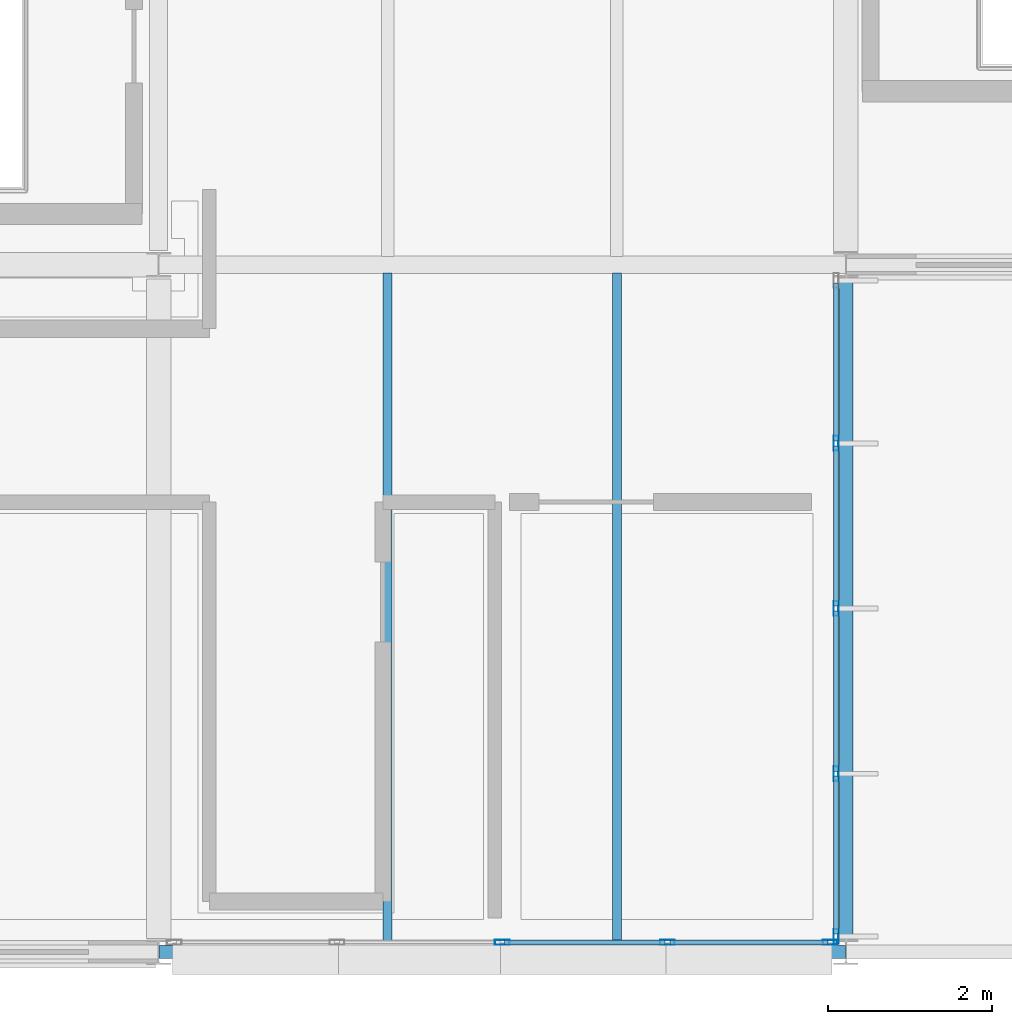
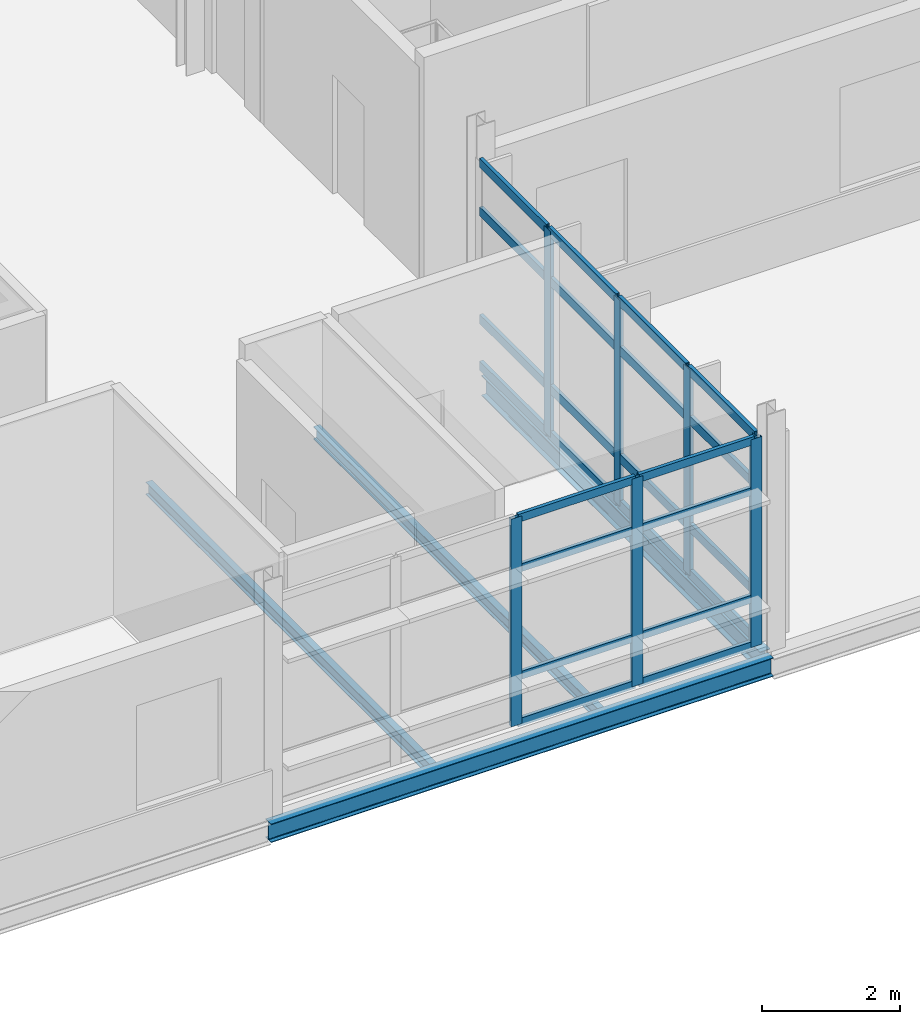
# One storey, part 20 of 35: 31 members, 4 beams, 2 elements without a shape of their own.
"""IFC4 building model written with IfcOpenShell, lengths in metres."""

from ifc_helpers import new_model, si_unit, direction, frame, origin, origin_2d, place, context, subcontext, project, spatial, hollow_rectangle, i_section, extrude, material, material_profile, profile_set, type_object, element, aggregate, save


model = new_model("IFC4")

# Units and contexts
model_context = context("Model", 3, precision=1e-05, world=origin(), true_north=direction((0.0, 1.0)))
body_context = subcontext(model_context, "Body", "Model", "MODEL_VIEW")
ifc_project = project(units=[si_unit("LENGTHUNIT", "METRE"), si_unit("AREAUNIT", "SQUARE_METRE"), si_unit("VOLUMEUNIT", "CUBIC_METRE"), si_unit("PLANEANGLEUNIT", "RADIAN"), si_unit("MASSUNIT", "GRAM", prefix="KILO")], contexts=[model_context])

# Site, building, storey
site_placement = place(None, origin())
site = spatial("IfcSite", under=ifc_project, at=site_placement, CompositionType="ELEMENT")
building_placement = place(site_placement, origin())
building = spatial("IfcBuilding", under=site, at=building_placement, Name="Mersafa Astral City Hall", CompositionType="ELEMENT")
storey_placement = place(building_placement, frame((0.0, 0.0, 30.14990234375)))
storey = spatial("IfcBuildingStorey", under=building, at=storey_placement, Name="L07", CompositionType="ELEMENT", Elevation=30.14990234375)

# Curtain wall, members
ifc_material_1 = material(Name="Anodised bronze aluminium framing", Category="aluminium")
curtain_wall_type_1 = type_object("IfcCurtainWallType", Name="ENV-CW-6", PredefinedType="USERDEFINED", material=ifc_material_1)
curtain_wall_1_placement = place(storey_placement, origin())
curtain_wall_1 = element("IfcCurtainWall", 1, at=curtain_wall_1_placement, inside=storey, type_object=curtain_wall_type_1, Name="L07 Unitised solar curtain wall 269", ObjectType="UNITISED CURTAIN WALL", PredefinedType="USERDEFINED")
ifc_material_profile_1 = material_profile(ifc_material_1, hollow_rectangle(XDim=0.06005859375, YDim=0.179931640625, WallThickness=0.00390625, at=origin_2d()), Name="RHS 60x180x4")
ifc_profile_set_1 = profile_set([ifc_material_profile_1], Name="Anodised bronze aluminium framing")
member_type_1 = type_object("IfcMemberType", Name="ENV-CW-MUL-1", PredefinedType="MULLION", material=ifc_profile_set_1)
member_1_placement = place(storey_placement, frame((163.800048828125, 100.919921875, -0.001953125), z_axis=(0.0, 0.0, 1.0), x_axis=(0.0, 1.0, 0.0)))
member_1 = element("IfcMember", 2, at=member_1_placement, type_object=member_type_1, Name="CW-6 mullion 3", PredefinedType="MULLION", context=body_context, shape_type="SweptSolid", body=[
    extrude(hollow_rectangle(XDim=0.06005859375, YDim=0.179931640625, WallThickness=0.00390625, at=origin_2d()), origin(), (0.0, 0.0, 1.0), 3.6689453125),
])
member_2_placement = place(storey_placement, frame((165.819091796875, 100.919921875, -0.001953125), z_axis=(0.0, 0.0, 1.0), x_axis=(0.0, 1.0, 0.0)))
member_2 = element("IfcMember", 3, at=member_2_placement, type_object=member_type_1, Name="CW-6 mullion 4", PredefinedType="MULLION", context=body_context, shape_type="SweptSolid", body=[
    extrude(hollow_rectangle(XDim=0.06005859375, YDim=0.179931640625, WallThickness=0.00390625, at=origin_2d()), origin(), (0.0, 0.0, 1.0), 3.6689453125),
])
member_3_placement = place(storey_placement, frame((167.80810546875, 100.919921875, -0.001953125), z_axis=(0.0, 0.0, 1.0), x_axis=(0.0, 1.0, 0.0)))
member_3 = element("IfcMember", 4, at=member_3_placement, type_object=member_type_1, Name="CW-6 mullion 5", PredefinedType="MULLION", context=body_context, shape_type="SweptSolid", body=[
    extrude(hollow_rectangle(XDim=0.06005859375, YDim=0.179931640625, WallThickness=0.00390625, at=origin_2d()), origin(), (0.0, 0.0, 1.0), 3.6689453125),
])

curtain_wall_type_2 = type_object("IfcCurtainWallType", Name="ENV-CW-1", PredefinedType="USERDEFINED", material=ifc_material_1)
curtain_wall_2_placement = place(storey_placement, origin())
curtain_wall_2 = element("IfcCurtainWall", 5, at=curtain_wall_2_placement, inside=storey, type_object=curtain_wall_type_2, Name="L07 Unitised solar curtain wall 270", ObjectType="UNITISED CURTAIN WALL", PredefinedType="USERDEFINED")
member_4_placement = place(storey_placement, frame((167.8798828125, 100.991943359375, -0.001953125), z_axis=(0.0, 0.0, 1.0), x_axis=(-1.0, 0.0, 0.0)))
member_4 = element("IfcMember", 6, at=member_4_placement, type_object=member_type_1, Name="CW-1 mullion 1", PredefinedType="MULLION", context=body_context, shape_type="SweptSolid", body=[
    extrude(hollow_rectangle(XDim=0.06005859375, YDim=0.179931640625, WallThickness=0.00390625, at=origin_2d()), origin(), (0.0, 0.0, 1.0), 3.63916015625),
])
member_5_placement = place(storey_placement, frame((167.8798828125, 102.98095703125, -0.001953125), z_axis=(0.0, 0.0, 1.0), x_axis=(-1.0, 0.0, 0.0)))
member_5 = element("IfcMember", 7, at=member_5_placement, type_object=member_type_1, Name="CW-1 mullion 2", PredefinedType="MULLION", context=body_context, shape_type="SweptSolid", body=[
    extrude(hollow_rectangle(XDim=0.06005859375, YDim=0.179931640625, WallThickness=0.00390625, at=origin_2d()), origin(), (0.0, 0.0, 1.0), 3.63916015625),
])
member_6_placement = place(storey_placement, frame((167.8798828125, 105.0, -0.001953125), z_axis=(0.0, 0.0, 1.0), x_axis=(-1.0, 0.0, 0.0)))
member_6 = element("IfcMember", 8, at=member_6_placement, type_object=member_type_1, Name="CW-1 mullion 3", PredefinedType="MULLION", context=body_context, shape_type="SweptSolid", body=[
    extrude(hollow_rectangle(XDim=0.06005859375, YDim=0.179931640625, WallThickness=0.00390625, at=origin_2d()), origin(), (0.0, 0.0, 1.0), 3.63916015625),
])
member_7_placement = place(storey_placement, frame((167.8798828125, 107.01904296875, -0.001953125), z_axis=(0.0, 0.0, 1.0), x_axis=(-1.0, 0.0, 0.0)))
member_7 = element("IfcMember", 9, at=member_7_placement, type_object=member_type_1, Name="CW-1 mullion 4", PredefinedType="MULLION", context=body_context, shape_type="SweptSolid", body=[
    extrude(hollow_rectangle(XDim=0.06005859375, YDim=0.179931640625, WallThickness=0.00390625, at=origin_2d()), origin(), (0.0, 0.0, 1.0), 3.63916015625),
])

# Member
ifc_material_profile_2 = material_profile(ifc_material_1, hollow_rectangle(XDim=0.06005859375, YDim=0.139892578125, WallThickness=0.00390625, at=origin_2d()), Name="RHS 60x140x4")
ifc_profile_set_2 = profile_set([ifc_material_profile_2], Name="Anodised bronze aluminium framing")
member_type_2 = type_object("IfcMemberType", Name="ENV-CW-TRN-1", PredefinedType="USERDEFINED", material=ifc_profile_set_2)
member_8_placement = place(storey_placement, frame((163.830078125, 100.919921875, 0.028076171875), z_axis=(1.0, 0.0, 0.0), x_axis=(0.0, 1.0, 0.0)))
member_8 = element("IfcMember", 10, at=member_8_placement, type_object=member_type_2, Name="CW-6 transom 3.1", ObjectType="TRANSOM", PredefinedType="USERDEFINED", context=body_context, shape_type="SweptSolid", body=[
    extrude(hollow_rectangle(XDim=0.06005859375, YDim=0.139892578125, WallThickness=0.00390625, at=origin_2d()), origin(), (0.0, 0.0, 1.0), 1.958984375),
])

member_9_placement = place(storey_placement, frame((163.830078125, 100.919921875, 0.85009765625), z_axis=(1.0, 0.0, 0.0), x_axis=(0.0, 1.0, 0.0)))
member_9 = element("IfcMember", 11, at=member_9_placement, type_object=member_type_2, Name="CW-6 transom 3.2", ObjectType="TRANSOM", PredefinedType="USERDEFINED", context=body_context, shape_type="SweptSolid", body=[
    extrude(hollow_rectangle(XDim=0.06005859375, YDim=0.139892578125, WallThickness=0.00390625, at=origin_2d()), origin(), (0.0, 0.0, 1.0), 1.958984375),
])

member_10_placement = place(storey_placement, frame((163.830078125, 100.919921875, 2.75), z_axis=(1.0, 0.0, 0.0), x_axis=(0.0, 1.0, 0.0)))
member_10 = element("IfcMember", 12, at=member_10_placement, type_object=member_type_2, Name="CW-6 transom 3.3", ObjectType="TRANSOM", PredefinedType="USERDEFINED", context=body_context, shape_type="SweptSolid", body=[
    extrude(hollow_rectangle(XDim=0.06005859375, YDim=0.139892578125, WallThickness=0.00390625, at=origin_2d()), origin(), (0.0, 0.0, 1.0), 1.958984375),
])

member_11_placement = place(storey_placement, frame((163.830078125, 100.919921875, 3.63720703125), z_axis=(1.0, 0.0, 0.0), x_axis=(0.0, 1.0, 0.0)))
member_11 = element("IfcMember", 13, at=member_11_placement, type_object=member_type_2, Name="CW-6 transom 3.4", ObjectType="TRANSOM", PredefinedType="USERDEFINED", context=body_context, shape_type="SweptSolid", body=[
    extrude(hollow_rectangle(XDim=0.06005859375, YDim=0.139892578125, WallThickness=0.00390625, at=origin_2d()), origin(), (0.0, 0.0, 1.0), 1.958984375),
])

member_12_placement = place(storey_placement, frame((165.84912109375, 100.919921875, 0.028076171875), z_axis=(1.0, 0.0, 0.0), x_axis=(0.0, 1.0, 0.0)))
member_12 = element("IfcMember", 14, at=member_12_placement, type_object=member_type_2, Name="CW-6 transom 4.1", ObjectType="TRANSOM", PredefinedType="USERDEFINED", context=body_context, shape_type="SweptSolid", body=[
    extrude(hollow_rectangle(XDim=0.06005859375, YDim=0.139892578125, WallThickness=0.00390625, at=origin_2d()), origin(), (0.0, 0.0, 1.0), 1.928955078125),
])

member_13_placement = place(storey_placement, frame((165.84912109375, 100.919921875, 0.85009765625), z_axis=(1.0, 0.0, 0.0), x_axis=(0.0, 1.0, 0.0)))
member_13 = element("IfcMember", 15, at=member_13_placement, type_object=member_type_2, Name="CW-6 transom 4.2", ObjectType="TRANSOM", PredefinedType="USERDEFINED", context=body_context, shape_type="SweptSolid", body=[
    extrude(hollow_rectangle(XDim=0.06005859375, YDim=0.139892578125, WallThickness=0.00390625, at=origin_2d()), origin(), (0.0, 0.0, 1.0), 1.928955078125),
])

member_14_placement = place(storey_placement, frame((165.84912109375, 100.919921875, 2.75), z_axis=(1.0, 0.0, 0.0), x_axis=(0.0, 1.0, 0.0)))
member_14 = element("IfcMember", 16, at=member_14_placement, type_object=member_type_2, Name="CW-6 transom 4.3", ObjectType="TRANSOM", PredefinedType="USERDEFINED", context=body_context, shape_type="SweptSolid", body=[
    extrude(hollow_rectangle(XDim=0.06005859375, YDim=0.139892578125, WallThickness=0.00390625, at=origin_2d()), origin(), (0.0, 0.0, 1.0), 1.928955078125),
])

member_15_placement = place(storey_placement, frame((165.84912109375, 100.919921875, 3.63720703125), z_axis=(1.0, 0.0, 0.0), x_axis=(0.0, 1.0, 0.0)))
member_15 = element("IfcMember", 17, at=member_15_placement, type_object=member_type_2, Name="CW-6 transom 4.4", ObjectType="TRANSOM", PredefinedType="USERDEFINED", context=body_context, shape_type="SweptSolid", body=[
    extrude(hollow_rectangle(XDim=0.06005859375, YDim=0.139892578125, WallThickness=0.00390625, at=origin_2d()), origin(), (0.0, 0.0, 1.0), 1.928955078125),
])

aggregate(curtain_wall_1, [member_1, member_2, member_3, member_8, member_9, member_10, member_11, member_12, member_13, member_14, member_15])

ifc_material_profile_3 = material_profile(ifc_material_1, hollow_rectangle(XDim=0.06005859375, YDim=0.159912109375, WallThickness=0.00390625, at=origin_2d()), Name="RHS 60x160x4")
ifc_profile_set_3 = profile_set([ifc_material_profile_3], Name="Anodised bronze aluminium framing")
member_type_3 = type_object("IfcMemberType", Name="ENV-CW-TRN-2", PredefinedType="USERDEFINED", material=ifc_profile_set_3)
member_16_placement = place(storey_placement, frame((167.8798828125, 101.02197265625, 0.028076171875), z_axis=(0.0, 1.0, 0.0), x_axis=(-1.0, 0.0, 0.0)))
member_16 = element("IfcMember", 18, at=member_16_placement, type_object=member_type_3, Name="CW-1 transom 1.1", ObjectType="TRANSOM", PredefinedType="USERDEFINED", context=body_context, shape_type="SweptSolid", body=[
    extrude(hollow_rectangle(XDim=0.06005859375, YDim=0.159912109375, WallThickness=0.00390625, at=origin_2d()), origin(), (0.0, 0.0, 1.0), 1.928955078125),
])

member_17_placement = place(storey_placement, frame((167.8798828125, 101.02197265625, 0.85009765625), z_axis=(0.0, 1.0, 0.0), x_axis=(-1.0, 0.0, 0.0)))
member_17 = element("IfcMember", 19, at=member_17_placement, type_object=member_type_3, Name="CW-1 transom 1.2", ObjectType="TRANSOM", PredefinedType="USERDEFINED", context=body_context, shape_type="SweptSolid", body=[
    extrude(hollow_rectangle(XDim=0.06005859375, YDim=0.159912109375, WallThickness=0.00390625, at=origin_2d()), origin(), (0.0, 0.0, 1.0), 1.928955078125),
])

member_18_placement = place(storey_placement, frame((167.8798828125, 101.02197265625, 2.75), z_axis=(0.0, 1.0, 0.0), x_axis=(-1.0, 0.0, 0.0)))
member_18 = element("IfcMember", 20, at=member_18_placement, type_object=member_type_3, Name="CW-1 transom 1.3", ObjectType="TRANSOM", PredefinedType="USERDEFINED", context=body_context, shape_type="SweptSolid", body=[
    extrude(hollow_rectangle(XDim=0.06005859375, YDim=0.159912109375, WallThickness=0.00390625, at=origin_2d()), origin(), (0.0, 0.0, 1.0), 1.928955078125),
])

member_19_placement = place(storey_placement, frame((167.8798828125, 101.02197265625, 3.607177734375), z_axis=(0.0, 1.0, 0.0), x_axis=(-1.0, 0.0, 0.0)))
member_19 = element("IfcMember", 21, at=member_19_placement, type_object=member_type_3, Name="CW-1 transom 1.4", ObjectType="TRANSOM", PredefinedType="USERDEFINED", context=body_context, shape_type="SweptSolid", body=[
    extrude(hollow_rectangle(XDim=0.06005859375, YDim=0.159912109375, WallThickness=0.00390625, at=origin_2d()), origin(), (0.0, 0.0, 1.0), 1.928955078125),
])

member_20_placement = place(storey_placement, frame((167.8798828125, 103.010986328125, 0.028076171875), z_axis=(0.0, 1.0, 0.0), x_axis=(-1.0, 0.0, 0.0)))
member_20 = element("IfcMember", 22, at=member_20_placement, type_object=member_type_3, Name="CW-1 transom 2.1", ObjectType="TRANSOM", PredefinedType="USERDEFINED", context=body_context, shape_type="SweptSolid", body=[
    extrude(hollow_rectangle(XDim=0.06005859375, YDim=0.159912109375, WallThickness=0.00390625, at=origin_2d()), origin(), (0.0, 0.0, 1.0), 1.958984375),
])

member_21_placement = place(storey_placement, frame((167.8798828125, 103.010986328125, 0.85009765625), z_axis=(0.0, 1.0, 0.0), x_axis=(-1.0, 0.0, 0.0)))
member_21 = element("IfcMember", 23, at=member_21_placement, type_object=member_type_3, Name="CW-1 transom 2.2", ObjectType="TRANSOM", PredefinedType="USERDEFINED", context=body_context, shape_type="SweptSolid", body=[
    extrude(hollow_rectangle(XDim=0.06005859375, YDim=0.159912109375, WallThickness=0.00390625, at=origin_2d()), origin(), (0.0, 0.0, 1.0), 1.958984375),
])

member_22_placement = place(storey_placement, frame((167.8798828125, 103.010986328125, 2.75), z_axis=(0.0, 1.0, 0.0), x_axis=(-1.0, 0.0, 0.0)))
member_22 = element("IfcMember", 24, at=member_22_placement, type_object=member_type_3, Name="CW-1 transom 2.3", ObjectType="TRANSOM", PredefinedType="USERDEFINED", context=body_context, shape_type="SweptSolid", body=[
    extrude(hollow_rectangle(XDim=0.06005859375, YDim=0.159912109375, WallThickness=0.00390625, at=origin_2d()), origin(), (0.0, 0.0, 1.0), 1.958984375),
])

member_23_placement = place(storey_placement, frame((167.8798828125, 103.010986328125, 3.607177734375), z_axis=(0.0, 1.0, 0.0), x_axis=(-1.0, 0.0, 0.0)))
member_23 = element("IfcMember", 25, at=member_23_placement, type_object=member_type_3, Name="CW-1 transom 2.4", ObjectType="TRANSOM", PredefinedType="USERDEFINED", context=body_context, shape_type="SweptSolid", body=[
    extrude(hollow_rectangle(XDim=0.06005859375, YDim=0.159912109375, WallThickness=0.00390625, at=origin_2d()), origin(), (0.0, 0.0, 1.0), 1.958984375),
])

member_24_placement = place(storey_placement, frame((167.8798828125, 105.030029296875, 0.028076171875), z_axis=(0.0, 1.0, 0.0), x_axis=(-1.0, 0.0, 0.0)))
member_24 = element("IfcMember", 26, at=member_24_placement, type_object=member_type_3, Name="CW-1 transom 3.1", ObjectType="TRANSOM", PredefinedType="USERDEFINED", context=body_context, shape_type="SweptSolid", body=[
    extrude(hollow_rectangle(XDim=0.06005859375, YDim=0.159912109375, WallThickness=0.00390625, at=origin_2d()), origin(), (0.0, 0.0, 1.0), 1.958984375),
])

member_25_placement = place(storey_placement, frame((167.8798828125, 105.030029296875, 0.85009765625), z_axis=(0.0, 1.0, 0.0), x_axis=(-1.0, 0.0, 0.0)))
member_25 = element("IfcMember", 27, at=member_25_placement, type_object=member_type_3, Name="CW-1 transom 3.2", ObjectType="TRANSOM", PredefinedType="USERDEFINED", context=body_context, shape_type="SweptSolid", body=[
    extrude(hollow_rectangle(XDim=0.06005859375, YDim=0.159912109375, WallThickness=0.00390625, at=origin_2d()), origin(), (0.0, 0.0, 1.0), 1.958984375),
])

member_26_placement = place(storey_placement, frame((167.8798828125, 105.030029296875, 2.75), z_axis=(0.0, 1.0, 0.0), x_axis=(-1.0, 0.0, 0.0)))
member_26 = element("IfcMember", 28, at=member_26_placement, type_object=member_type_3, Name="CW-1 transom 3.3", ObjectType="TRANSOM", PredefinedType="USERDEFINED", context=body_context, shape_type="SweptSolid", body=[
    extrude(hollow_rectangle(XDim=0.06005859375, YDim=0.159912109375, WallThickness=0.00390625, at=origin_2d()), origin(), (0.0, 0.0, 1.0), 1.958984375),
])

member_27_placement = place(storey_placement, frame((167.8798828125, 105.030029296875, 3.607177734375), z_axis=(0.0, 1.0, 0.0), x_axis=(-1.0, 0.0, 0.0)))
member_27 = element("IfcMember", 29, at=member_27_placement, type_object=member_type_3, Name="CW-1 transom 3.4", ObjectType="TRANSOM", PredefinedType="USERDEFINED", context=body_context, shape_type="SweptSolid", body=[
    extrude(hollow_rectangle(XDim=0.06005859375, YDim=0.159912109375, WallThickness=0.00390625, at=origin_2d()), origin(), (0.0, 0.0, 1.0), 1.958984375),
])

member_28_placement = place(storey_placement, frame((167.8798828125, 107.049072265625, 0.028076171875), z_axis=(0.0, 1.0, 0.0), x_axis=(-1.0, 0.0, 0.0)))
member_28 = element("IfcMember", 30, at=member_28_placement, type_object=member_type_3, Name="CW-1 transom 4.1", ObjectType="TRANSOM", PredefinedType="USERDEFINED", context=body_context, shape_type="SweptSolid", body=[
    extrude(hollow_rectangle(XDim=0.06005859375, YDim=0.159912109375, WallThickness=0.00390625, at=origin_2d()), origin(), (0.0, 0.0, 1.0), 1.928955078125),
])

member_29_placement = place(storey_placement, frame((167.8798828125, 107.049072265625, 0.85009765625), z_axis=(0.0, 1.0, 0.0), x_axis=(-1.0, 0.0, 0.0)))
member_29 = element("IfcMember", 31, at=member_29_placement, type_object=member_type_3, Name="CW-1 transom 4.2", ObjectType="TRANSOM", PredefinedType="USERDEFINED", context=body_context, shape_type="SweptSolid", body=[
    extrude(hollow_rectangle(XDim=0.06005859375, YDim=0.159912109375, WallThickness=0.00390625, at=origin_2d()), origin(), (0.0, 0.0, 1.0), 1.928955078125),
])

member_30_placement = place(storey_placement, frame((167.8798828125, 107.049072265625, 2.75), z_axis=(0.0, 1.0, 0.0), x_axis=(-1.0, 0.0, 0.0)))
member_30 = element("IfcMember", 32, at=member_30_placement, type_object=member_type_3, Name="CW-1 transom 4.3", ObjectType="TRANSOM", PredefinedType="USERDEFINED", context=body_context, shape_type="SweptSolid", body=[
    extrude(hollow_rectangle(XDim=0.06005859375, YDim=0.159912109375, WallThickness=0.00390625, at=origin_2d()), origin(), (0.0, 0.0, 1.0), 1.928955078125),
])

member_31_placement = place(storey_placement, frame((167.8798828125, 107.049072265625, 3.607177734375), z_axis=(0.0, 1.0, 0.0), x_axis=(-1.0, 0.0, 0.0)))
member_31 = element("IfcMember", 33, at=member_31_placement, type_object=member_type_3, Name="CW-1 transom 4.4", ObjectType="TRANSOM", PredefinedType="USERDEFINED", context=body_context, shape_type="SweptSolid", body=[
    extrude(hollow_rectangle(XDim=0.06005859375, YDim=0.159912109375, WallThickness=0.00390625, at=origin_2d()), origin(), (0.0, 0.0, 1.0), 1.928955078125),
])

aggregate(curtain_wall_2, [member_4, member_5, member_6, member_7, member_16, member_17, member_18, member_19, member_20, member_21, member_22, member_23, member_24, member_25, member_26, member_27, member_28, member_29, member_30, member_31])

# Beams
ifc_material_2 = material(Name="Steel S355", Category="steel")
ifc_material_profile_4 = material_profile(ifc_material_2, i_section(OverallWidth=0.110107421875, OverallDepth=0.219970703125, WebThickness=0.005859375, FlangeThickness=0.00927734375, FilletRadius=0.011962890625, at=origin_2d()), Name="IPE 220")
ifc_profile_set_4 = profile_set([ifc_material_profile_4], Name="Steel S355")
beam_type_1 = type_object("IfcBeamType", Name="STR-BM-JOIST-IPE220", PredefinedType="JOIST", material=ifc_profile_set_4)
for number, where, z_axis, x_axis, name in (
    (34, (162.39990234375, 100.875, -0.284912109375), (0.0, 1.0, 0.0), (-1.0, 0.0, 0.0), "L07 Composite secondary floor joist 912"),
    (35, (165.199951171875, 100.875, -0.284912109375), (0.0, 1.0, 0.0), (-1.0, 0.0, 0.0), "L07 Composite secondary floor joist 913"),
):
    element("IfcBeam", number, at=place(storey_placement, frame(where, z_axis=z_axis, x_axis=x_axis)), inside=storey, type_object=beam_type_1, Name=name, PredefinedType="JOIST", context=body_context, shape_type="SweptSolid", body=[
        extrude(i_section(OverallWidth=0.110107421875, OverallDepth=0.219970703125, WebThickness=0.005859375, FlangeThickness=0.00927734375, FilletRadius=0.011962890625, at=origin_2d()), origin(), (0.0, 0.0, 1.0), 8.22509765625),
    ])
ifc_material_profile_5 = material_profile(ifc_material_2, i_section(OverallWidth=0.159912109375, OverallDepth=0.330078125, WebThickness=0.007568359375, FlangeThickness=0.011474609375, FilletRadius=0.01806640625, at=origin_2d()), Name="IPE 330")
ifc_profile_set_5 = profile_set([ifc_material_profile_5], Name="Steel S355")
beam_type_2 = type_object("IfcBeamType", Name="STR-BM-SPANDREL-IPE330", PredefinedType="SPANDREL", material=ifc_profile_set_5)
beam_1_placement = place(storey_placement, frame((159.60302734375, 100.800048828125, -0.33984375), z_axis=(1.0, 0.0, 0.0), x_axis=(0.0, 1.0, 0.0)))
element("IfcBeam", 36, at=beam_1_placement, inside=storey, type_object=beam_type_2, Name="L07 Primary girder X 19-12", PredefinedType="SPANDREL", context=body_context, shape_type="SweptSolid", body=[
    extrude(i_section(OverallWidth=0.159912109375, OverallDepth=0.330078125, WebThickness=0.007568359375, FlangeThickness=0.011474609375, FilletRadius=0.01806640625, at=origin_2d()), origin(), (0.0, 0.0, 1.0), 8.39404296875),
])
ifc_material_profile_6 = material_profile(ifc_material_2, i_section(OverallWidth=0.169921875, OverallDepth=0.360107421875, WebThickness=0.008056640625, FlangeThickness=0.0126953125, FilletRadius=0.01806640625, at=origin_2d()), Name="IPE 360")
ifc_profile_set_6 = profile_set([ifc_material_profile_6], Name="Steel S355")
beam_type_3 = type_object("IfcBeamType", Name="STR-BM-SPANDREL-IPE360", PredefinedType="SPANDREL", material=ifc_profile_set_6)
beam_2_placement = place(storey_placement, frame((168.0, 100.97509765625, -0.3798828125), z_axis=(0.0, 1.0, 0.0), x_axis=(-1.0, 0.0, 0.0)))
element("IfcBeam", 37, at=beam_2_placement, inside=storey, type_object=beam_type_3, Name="L07 Primary girder Y 20-12", PredefinedType="SPANDREL", context=body_context, shape_type="SweptSolid", body=[
    extrude(i_section(OverallWidth=0.169921875, OverallDepth=0.360107421875, WebThickness=0.008056640625, FlangeThickness=0.0126953125, FilletRadius=0.01806640625, at=origin_2d()), origin(), (0.0, 0.0, 1.0), 8.059814453125),
])

save(model, "model.ifc")
